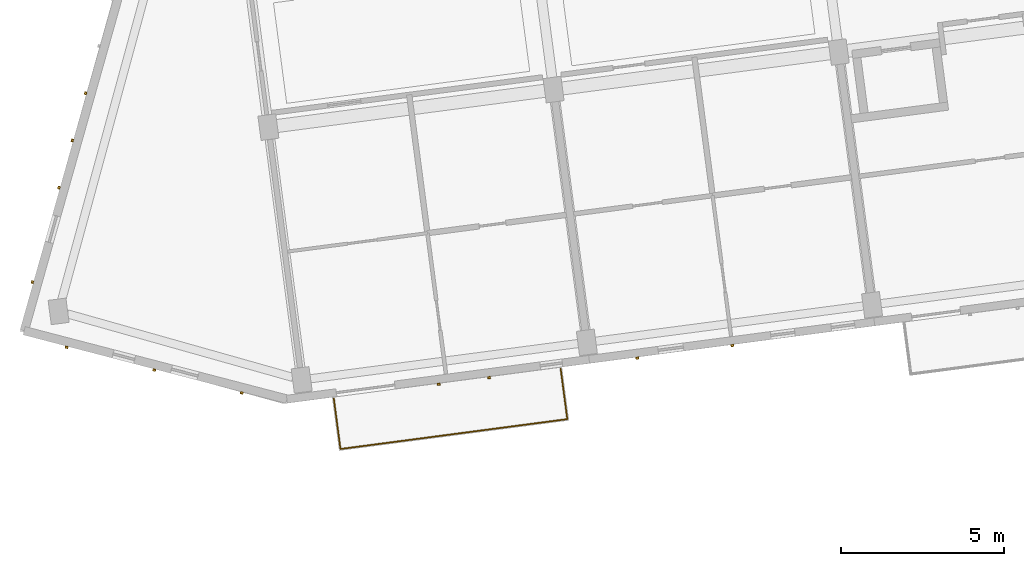
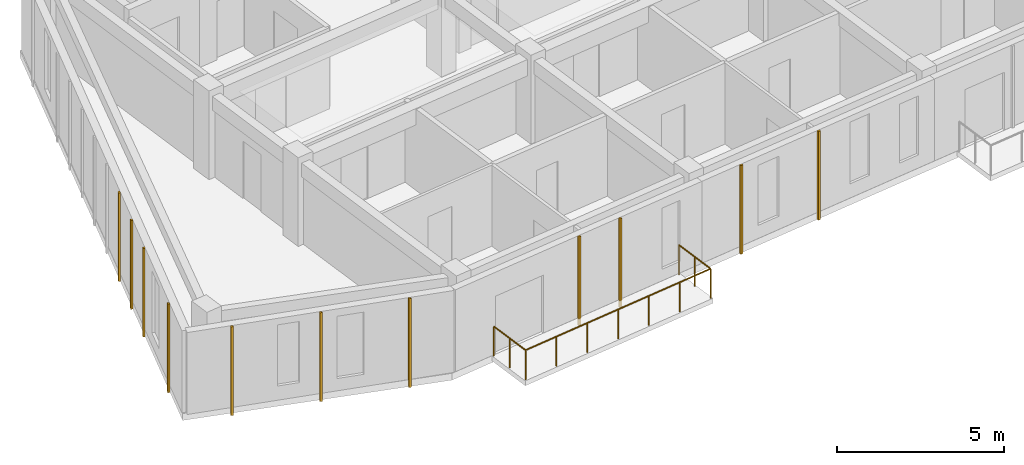
# One storey, part 40 of 65: 11 coverings, 1 railing.
"""IFC4 building model written with IfcOpenShell, lengths in metres."""

from ifc_helpers import new_model, si_unit, direction, frame, origin, origin_2d, place, context, subcontext, project, spatial, rectangle, circle, extrude, material, layer, layer_set, type_object, element, save


model = new_model("IFC4")

# Units and contexts
model_context = context("Model", 3, precision=1e-05, world=origin(), true_north=direction((0.0, 1.0)))
body_context = subcontext(model_context, "Body", "Model", "MODEL_VIEW")
ifc_project = project(units=[si_unit("LENGTHUNIT", "METRE"), si_unit("AREAUNIT", "SQUARE_METRE"), si_unit("VOLUMEUNIT", "CUBIC_METRE"), si_unit("PLANEANGLEUNIT", "RADIAN"), si_unit("MASSUNIT", "GRAM", prefix="KILO")], contexts=[model_context])

# Site, building, storey
site_placement = place(None, origin())
site = spatial("IfcSite", under=ifc_project, at=site_placement, CompositionType="ELEMENT")
building_placement = place(site_placement, origin())
building = spatial("IfcBuilding", under=site, at=building_placement, Name="Kestramere Prow Commons", CompositionType="ELEMENT")
storey_placement = place(building_placement, frame((0.0, 0.0, 21.39990234375)))
storey = spatial("IfcBuildingStorey", under=building, at=storey_placement, Name="L06", CompositionType="ELEMENT", Elevation=21.39990234375)

# Coverings
ifc_material_1 = material(Name="Weathered Zinc-Titanium Standing-Seam Cladding")
ifc_layer = layer(ifc_material_1, 0.074951171875)
ifc_layer_set = layer_set([ifc_layer], Name="Weathered Zinc-Titanium Standing-Seam Cladding")
covering_type = type_object("IfcCoveringType", Name="COV-CLAD-SEAM", PredefinedType="CLADDING", material=ifc_layer_set)
for number, where, z_axis, x_axis, name in (
    (1, (16.931396484375, 72.0712890625, -0.25), (0.0, 0.0, 1.0), (-0.991444861374, -0.13052619222, 0.0), "EW-A-L06-S-0 Standing-Seam Rib 2"),
    (2, (15.390625, 71.868408203125, -0.25), (0.0, 0.0, 1.0), (-0.991444861374, -0.13052619222, 0.0), "EW-A-L06-S-0 Standing-Seam Rib 3"),
    (3, (24.37548828125, 73.05126953125, -0.25), (0.0, 0.0, 1.0), (-0.991444861374, -0.13052619222, 0.0), "EW-A-L06-S-1 Standing-Seam Rib 3"),
    (4, (21.46728515625, 72.66845703125, -0.25), (0.0, 0.0, 1.0), (-0.991444861374, -0.13052619222, 0.0), "EW-A-L06-S-1 Standing-Seam Rib 5"),
    (5, (9.367431640625, 71.602783203125, -0.25), (0.0, 0.0, 1.0), (-0.96769817096, 0.252111582281, 0.0), "EW-A-L06-PRW-S Standing-Seam Rib 1"),
    (6, (6.6884765625, 72.300537109375, -0.25), (0.0, 0.0, 1.0), (-0.96769817096, 0.252111582281, 0.0), "EW-A-L06-PRW-S Standing-Seam Rib 3"),
    (7, (4.009521484375, 72.99853515625, -0.25), (0.0, 0.0, 1.0), (-0.96769817096, 0.252111582281, 0.0), "EW-A-L06-PRW-S Standing-Seam Rib 5"),
    (8, (2.96142578125, 74.9931640625, -0.25), (0.0, 0.0, 1.0), (0.271159911526, 0.962534312314, 0.0), "EW-A-L06-PRW-N Standing-Seam Rib 1"),
    (9, (3.775146484375, 77.8818359375, -0.25), (0.0, 0.0, 1.0), (0.271159911526, 0.962534312314, 0.0), "EW-A-L06-PRW-N Standing-Seam Rib 3"),
    (10, (4.18212890625, 79.326171875, -0.25), (0.0, 0.0, 1.0), (0.271159911526, 0.962534312314, 0.0), "EW-A-L06-PRW-N Standing-Seam Rib 4"),
    (11, (4.5888671875, 80.7705078125, -0.25), (0.0, 0.0, 1.0), (0.271159911526, 0.962534312314, 0.0), "EW-A-L06-PRW-N Standing-Seam Rib 5"),
):
    element("IfcCovering", number, at=place(storey_placement, frame(where, z_axis=z_axis, x_axis=x_axis)), inside=storey, type_object=covering_type, Name=name, PredefinedType="CLADDING", context=body_context, shape_type="SweptSolid", body=[
        extrude(rectangle(XDim=0.0849609375, YDim=0.06494140625, at=origin_2d()), origin(), (0.0, 0.0, 1.0), 3.25),
    ])

# Railing
ifc_material_2 = material(Name="Powder-Coated Aluminium 6063-T6", Category="aluminium")
railing_type = type_object("IfcRailingType", Name="GRD-BALC-1100", PredefinedType="BALUSTRADE", material=ifc_material_2)
railing_placement = place(storey_placement, frame((12.182373046875, 71.433349609375, 0.0)))
element("IfcRailing", 12, at=railing_placement, inside=storey, type_object=railing_type, Name="Block A L06 Balcony Guardrail 1", PredefinedType="BALUSTRADE", context=body_context, shape_type="SweptSolid", body=[
    extrude(circle(Radius=0.02392578125, at=origin_2d()), frame((0.0, 0.0, 1.076171875), z_axis=(0.130523335136, -0.991445237512, 0.0), x_axis=(0.991445237512, 0.130523335136, 0.0)), (0.0, 0.0, 1.0), 1.56005859375),
    extrude(circle(Radius=0.02392578125, at=origin_2d()), frame((0.20361328125, -1.546630859375, 1.076171875), z_axis=(0.991447052715, 0.13050954625, 0.0), x_axis=(-0.13050954625, 0.991447052715, 0.0)), (0.0, 0.0, 1.0), 7.0),
    extrude(circle(Radius=0.02392578125, at=origin_2d()), frame((7.143798828125, -0.633056640625, 1.076171875), z_axis=(-0.130503085734, 0.991447903127, 0.0), x_axis=(-0.991447903127, -0.130503085734, 0.0)), (0.0, 0.0, 1.0), 1.560302734375),
    extrude(circle(Radius=0.02099609375, at=origin_2d()), origin(), (0.0, 0.0, 1.0), 1.052001953125),
    extrude(circle(Radius=0.02099609375, at=origin_2d()), frame((0.101806640625, -0.7734375, 0.0)), (0.0, 0.0, 1.0), 1.052001953125),
    extrude(circle(Radius=0.02099609375, at=origin_2d()), frame((0.20361328125, -1.546630859375, 0.0)), (0.0, 0.0, 1.0), 1.052001953125),
    extrude(circle(Radius=0.02099609375, at=origin_2d()), frame((1.3603515625, -1.394287109375, 0.0)), (0.0, 0.0, 1.0), 1.052001953125),
    extrude(circle(Radius=0.02099609375, at=origin_2d()), frame((2.51708984375, -1.2421875, 0.0)), (0.0, 0.0, 1.0), 1.052001953125),
    extrude(circle(Radius=0.02099609375, at=origin_2d()), frame((3.673828125, -1.08984375, 0.0)), (0.0, 0.0, 1.0), 1.052001953125),
    extrude(circle(Radius=0.02099609375, at=origin_2d()), frame((4.830322265625, -0.9375, 0.0)), (0.0, 0.0, 1.0), 1.052001953125),
    extrude(circle(Radius=0.02099609375, at=origin_2d()), frame((5.987060546875, -0.785400390625, 0.0)), (0.0, 0.0, 1.0), 1.052001953125),
    extrude(circle(Radius=0.02099609375, at=origin_2d()), frame((7.143798828125, -0.633056640625, 0.0)), (0.0, 0.0, 1.0), 1.052001953125),
    extrude(circle(Radius=0.02099609375, at=origin_2d()), frame((7.0419921875, 0.140380859375, 0.0)), (0.0, 0.0, 1.0), 1.052001953125),
    extrude(circle(Radius=0.02099609375, at=origin_2d()), frame((6.940185546875, 0.913818359375, 0.0)), (0.0, 0.0, 1.0), 1.052001953125),
])

save(model, "model.ifc")
